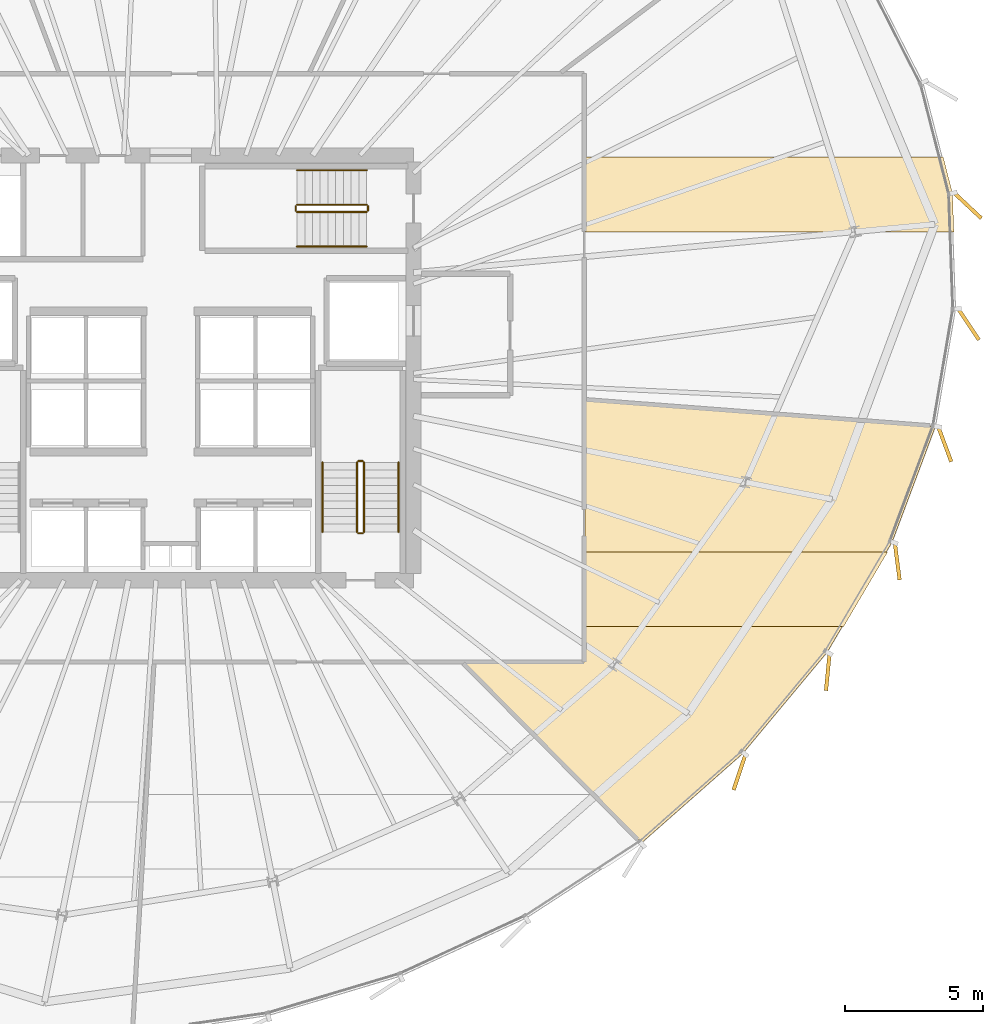
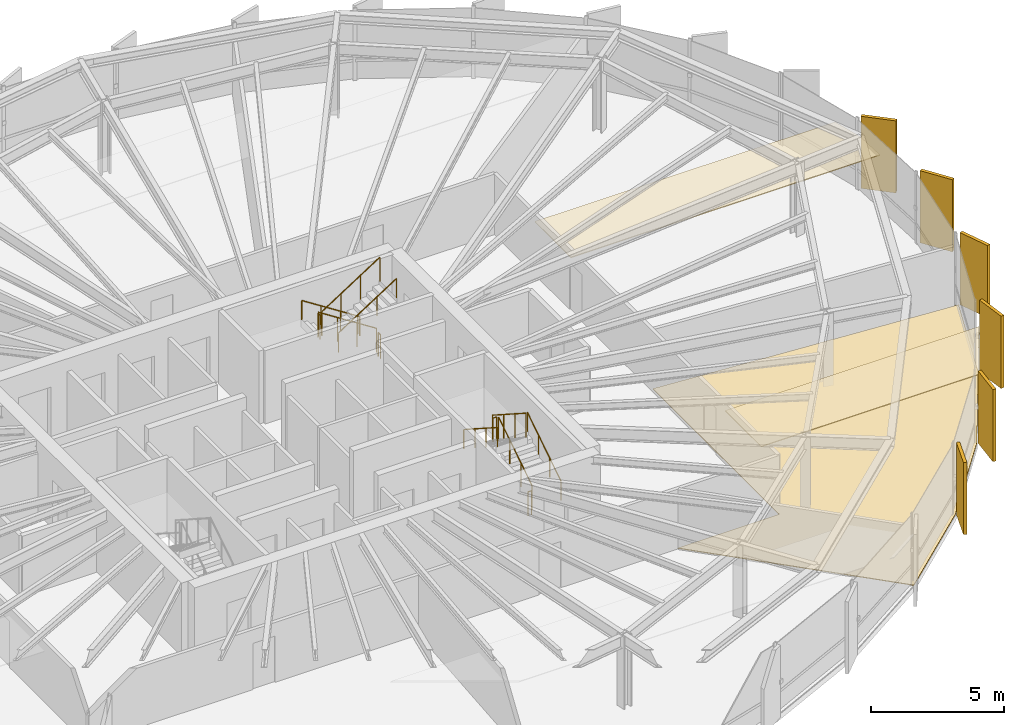
# One storey, part 32 of 33: 12 railings, 9 coverings.
"""IFC4 building model written with IfcOpenShell, lengths in metres."""

from ifc_helpers import new_model, si_unit, direction, frame, origin, origin_2d, place, context, subcontext, project, spatial, polyline, rectangle, circle, outline, extrude, source, transform, mapped, material, layer, layer_set, type_object, element, save


model = new_model("IFC4")

# Units and contexts
model_context = context("Model", 3, precision=1e-05, world=origin(), true_north=direction((0.0, 1.0)))
body_context = subcontext(model_context, "Body", "Model", "MODEL_VIEW")
ifc_project = project(units=[si_unit("LENGTHUNIT", "METRE"), si_unit("AREAUNIT", "SQUARE_METRE"), si_unit("VOLUMEUNIT", "CUBIC_METRE"), si_unit("PLANEANGLEUNIT", "RADIAN"), si_unit("MASSUNIT", "GRAM", prefix="KILO"), si_unit("THERMODYNAMICTEMPERATUREUNIT", "KELVIN")], contexts=[model_context])

# Site, building, storey
site_placement = place(None, origin())
site = spatial("IfcSite", under=ifc_project, at=site_placement, CompositionType="ELEMENT")
building_placement = place(site_placement, origin())
building = spatial("IfcBuilding", under=site, at=building_placement, Name="Kethvar Cultural Tower", CompositionType="ELEMENT")
storey_placement = place(building_placement, frame((0.0, 0.0, 118.0)))
storey = spatial("IfcBuildingStorey", under=building, at=storey_placement, Name="L29", CompositionType="ELEMENT", Elevation=118.0)

# Coverings
ifc_material_1 = material(Name="Acoustic Mineral Fibre Ceiling")
ifc_layer_1 = layer(ifc_material_1, 0.0400390625, Name="Acoustic Mineral Fibre Ceiling")
ifc_layer_set_1 = layer_set([ifc_layer_1], Name="Acoustic Mineral Fibre Ceiling (40 mm)")
covering_type_1 = type_object("IfcCoveringType", Name="CV-ACOUSTIC-CEIL", PredefinedType="CEILING", material=ifc_layer_set_1)
covering_1_placement = place(storey_placement, frame((0.0, 0.0, 2.340087890625)))
element("IfcCovering", 1, at=covering_1_placement, inside=storey, type_object=covering_type_1, Name="L29 Room 03 Acoustic Ceiling Panel", PredefinedType="CEILING", context=body_context, shape_type="SweptSolid", body=[
    extrude(outline(polyline([(71.19091796875, 18.41748046875), (61.77001953125, 18.41748046875), (61.77001953125, 21.12744140625), (72.788818359375, 21.12744140625), (71.19091796875, 18.41748046875)])), origin(), (0.0, 0.0, 1.0), 0.039794921875),
])
covering_2_placement = place(storey_placement, frame((0.0, 0.0, 2.340087890625)))
element("IfcCovering", 2, at=covering_2_placement, inside=storey, type_object=covering_type_1, Name="L29 Room 04 Acoustic Ceiling Panel", PredefinedType="CEILING", context=body_context, shape_type="SweptSolid", body=[
    extrude(outline(polyline([(61.77001953125, 35.435302734375), (74.8017578125, 35.435302734375), (75.13818359375, 34.12451171875), (75.188232421875, 32.725341796875), (61.77001953125, 32.725341796875), (61.77001953125, 35.435302734375)])), origin(), (0.0, 0.0, 1.0), 0.039794921875),
])
ifc_material_2 = material(Name="Honed Warm Limestone", Category="masonry")
ifc_layer_2 = layer(ifc_material_2, 0.030029296875, Name="Honed Warm Limestone", Category="masonry")
ifc_layer_set_2 = layer_set([ifc_layer_2], Name="Honed Warm Limestone (30 mm)")
covering_type_2 = type_object("IfcCoveringType", Name="CV-STONE-FLOOR", PredefinedType="FLOORING", material=ifc_layer_set_2)
covering_3_placement = place(storey_placement, origin())
element("IfcCovering", 3, at=covering_3_placement, inside=storey, type_object=covering_type_2, Name="L29 Room 03 Floor Finish", PredefinedType="FLOORING", context=body_context, shape_type="SweptSolid", body=[
    extrude(outline(polyline([(72.955322265625, 21.488525390625), (70.5986328125, 17.491943359375), (67.532958984375, 13.813720703125), (63.869140625, 10.579345703125), (57.396728515625, 17.1201171875), (61.80859375, 17.13232421875), (61.81005859375, 26.629638671875), (74.51513671875, 25.656005859375), (72.955322265625, 21.488525390625)])), origin(), (0.0, 0.0, 1.0), 0.030029296875),
])

# Railings
ifc_material_3 = material(Name="Steel S355J2", Category="steel")
railing_type_1 = type_object("IfcRailingType", Name="RL-STAIR-GUARD", PredefinedType="BALUSTRADE", material=ifc_material_3)
railing_1_placement = place(storey_placement, frame((53.81005859375, 21.85009765625, 0.179931640625)))
element("IfcRailing", 4, at=railing_1_placement, inside=storey, type_object=railing_type_1, Name="L29 ST-02 stair guard 1", PredefinedType="BALUSTRADE", context=body_context, shape_type="SweptSolid", body=[
    extrude(circle(Radius=0.02392578125, at=origin_2d()), frame((0.0, 0.0, 1.09619140625), z_axis=(0.0, 0.841162588446, 0.540782303519), x_axis=(-1.0, 0.0, 0.0)), (0.0, 0.0, 1.0), 2.995849609375),
    extrude(circle(Radius=0.02099609375, at=origin_2d()), origin(), (0.0, 0.0, 1.0), 1.072021484375),
    extrude(circle(Radius=0.02099609375, at=origin_2d()), frame((0.0, 0.840087890625, 0.5400390625)), (0.0, 0.0, 1.0), 1.072021484375),
    extrude(circle(Radius=0.02099609375, at=origin_2d()), frame((0.0, 1.679931640625, 1.080078125)), (0.0, 0.0, 1.0), 1.072021484375),
    extrude(circle(Radius=0.02099609375, at=origin_2d()), frame((0.0, 2.52001953125, 1.6201171875)), (0.0, 0.0, 1.0), 1.072021484375),
])
railing_2_placement = place(storey_placement, frame((53.760009765625, 24.419921875, 1.800048828125)))
element("IfcRailing", 5, at=railing_2_placement, inside=storey, type_object=railing_type_1, Name="L29 ST-02 stair guard 2", PredefinedType="BALUSTRADE", context=body_context, shape_type="SweptSolid", body=[
    extrude(circle(Radius=0.02392578125, at=origin_2d()), frame((0.0, 0.0, 1.09619140625), z_axis=(-1.0, 0.0, 0.0), x_axis=(0.0, -1.0, 0.0)), (0.0, 0.0, 1.0), 0.159912109375),
    extrude(circle(Radius=0.02099609375, at=origin_2d()), origin(), (0.0, 0.0, 1.0), 1.072021484375),
    extrude(circle(Radius=0.02099609375, at=origin_2d()), frame((-0.159912109375, 0.0, 0.0)), (0.0, 0.0, 1.0), 1.072021484375),
])
railing_3_placement = place(storey_placement, frame((53.550048828125, 24.3701171875, 1.97998046875)))
element("IfcRailing", 6, at=railing_3_placement, inside=storey, type_object=railing_type_1, Name="L29 ST-02 stair guard 3", PredefinedType="BALUSTRADE", context=body_context, shape_type="SweptSolid", body=[
    extrude(circle(Radius=0.02392578125, at=origin_2d()), frame((0.0, 0.0, 1.09619140625), z_axis=(0.0, -0.841162588446, 0.540782303519), x_axis=(1.0, 0.0, 0.0)), (0.0, 0.0, 1.0), 2.995849609375),
    extrude(circle(Radius=0.02099609375, at=origin_2d()), origin(), (0.0, 0.0, 1.0), 1.072021484375),
    extrude(circle(Radius=0.02099609375, at=origin_2d()), frame((0.0, -0.840087890625, 0.5400390625)), (0.0, 0.0, 1.0), 1.072021484375),
    extrude(circle(Radius=0.02099609375, at=origin_2d()), frame((0.0, -1.679931640625, 1.080078125)), (0.0, 0.0, 1.0), 1.072021484375),
    extrude(circle(Radius=0.02099609375, at=origin_2d()), frame((0.0, -2.52001953125, 1.6201171875)), (0.0, 0.0, 1.0), 1.072021484375),
])
railing_4_placement = place(storey_placement, frame((53.760009765625, 21.800048828125, 0.0)))
element("IfcRailing", 7, at=railing_4_placement, inside=storey, type_object=railing_type_1, Name="L29 ST-02 stair guard 4", PredefinedType="BALUSTRADE", context=body_context, shape_type="SweptSolid", body=[
    extrude(circle(Radius=0.02392578125, at=origin_2d()), frame((0.0, 0.0, 1.09619140625), z_axis=(-1.0, 0.0, 0.0), x_axis=(0.0, -1.0, 0.0)), (0.0, 0.0, 1.0), 0.159912109375),
    extrude(circle(Radius=0.02099609375, at=origin_2d()), origin(), (0.0, 0.0, 1.0), 1.072021484375),
    extrude(circle(Radius=0.02099609375, at=origin_2d()), frame((-0.159912109375, 0.0, 0.0)), (0.0, 0.0, 1.0), 1.072021484375),
])
railing_5_placement = place(storey_placement, frame((53.89990234375, 33.7099609375, 0.179931640625)))
element("IfcRailing", 8, at=railing_5_placement, inside=storey, type_object=railing_type_1, Name="L29 ST-03 stair guard 1", PredefinedType="BALUSTRADE", context=body_context, shape_type="SweptSolid", body=[
    extrude(circle(Radius=0.02392578125, at=origin_2d()), frame((0.0, 0.0, 1.09619140625), z_axis=(-0.841162588446, 0.0, 0.540782303519), x_axis=(0.0, -1.0, 0.0)), (0.0, 0.0, 1.0), 2.995849609375),
    extrude(circle(Radius=0.02099609375, at=origin_2d()), origin(), (0.0, 0.0, 1.0), 1.072021484375),
    extrude(circle(Radius=0.02099609375, at=origin_2d()), frame((-0.840087890625, 0.0, 0.5400390625)), (0.0, 0.0, 1.0), 1.072021484375),
    extrude(circle(Radius=0.02099609375, at=origin_2d()), frame((-1.679931640625, 0.0, 1.080078125)), (0.0, 0.0, 1.0), 1.072021484375),
    extrude(circle(Radius=0.02099609375, at=origin_2d()), frame((-2.52001953125, 0.0, 1.6201171875)), (0.0, 0.0, 1.0), 1.072021484375),
])
railing_6_placement = place(storey_placement, frame((51.330078125, 33.659912109375, 1.800048828125)))
element("IfcRailing", 9, at=railing_6_placement, inside=storey, type_object=railing_type_1, Name="L29 ST-03 stair guard 2", PredefinedType="BALUSTRADE", context=body_context, shape_type="SweptSolid", body=[
    extrude(circle(Radius=0.02392578125, at=origin_2d()), frame((0.0, 0.0, 1.09619140625), z_axis=(0.0, -1.0, 0.0), x_axis=(1.0, 0.0, 0.0)), (0.0, 0.0, 1.0), 0.159912109375),
    extrude(circle(Radius=0.02099609375, at=origin_2d()), origin(), (0.0, 0.0, 1.0), 1.072021484375),
    extrude(circle(Radius=0.02099609375, at=origin_2d()), frame((0.0, -0.159912109375, 0.0)), (0.0, 0.0, 1.0), 1.072021484375),
])
railing_7_placement = place(storey_placement, frame((51.3798828125, 33.449951171875, 1.97998046875)))
element("IfcRailing", 10, at=railing_7_placement, inside=storey, type_object=railing_type_1, Name="L29 ST-03 stair guard 3", PredefinedType="BALUSTRADE", context=body_context, shape_type="SweptSolid", body=[
    extrude(circle(Radius=0.02392578125, at=origin_2d()), frame((0.0, 0.0, 1.09619140625), z_axis=(0.841162588446, 0.0, 0.540782303519), x_axis=(0.0, 1.0, 0.0)), (0.0, 0.0, 1.0), 2.995849609375),
    extrude(circle(Radius=0.02099609375, at=origin_2d()), origin(), (0.0, 0.0, 1.0), 1.072021484375),
    extrude(circle(Radius=0.02099609375, at=origin_2d()), frame((0.840087890625, 0.0, 0.5400390625)), (0.0, 0.0, 1.0), 1.072021484375),
    extrude(circle(Radius=0.02099609375, at=origin_2d()), frame((1.679931640625, 0.0, 1.080078125)), (0.0, 0.0, 1.0), 1.072021484375),
    extrude(circle(Radius=0.02099609375, at=origin_2d()), frame((2.52001953125, 0.0, 1.6201171875)), (0.0, 0.0, 1.0), 1.072021484375),
])
railing_8_placement = place(storey_placement, frame((53.949951171875, 33.659912109375, 0.0)))
element("IfcRailing", 11, at=railing_8_placement, inside=storey, type_object=railing_type_1, Name="L29 ST-03 stair guard 4", PredefinedType="BALUSTRADE", context=body_context, shape_type="SweptSolid", body=[
    extrude(circle(Radius=0.02392578125, at=origin_2d()), frame((0.0, 0.0, 1.09619140625), z_axis=(0.0, -1.0, 0.0), x_axis=(1.0, 0.0, 0.0)), (0.0, 0.0, 1.0), 0.159912109375),
    extrude(circle(Radius=0.02099609375, at=origin_2d()), origin(), (0.0, 0.0, 1.0), 1.072021484375),
    extrude(circle(Radius=0.02099609375, at=origin_2d()), frame((0.0, -0.159912109375, 0.0)), (0.0, 0.0, 1.0), 1.072021484375),
])
railing_type_2 = type_object("IfcRailingType", Name="RL-STAIR-HANDRAIL", PredefinedType="HANDRAIL", material=ifc_material_3)
railing_9_placement = place(storey_placement, frame((55.06005859375, 21.85009765625, 0.179931640625)))
element("IfcRailing", 12, at=railing_9_placement, inside=storey, type_object=railing_type_2, Name="L29 ST-02 stair handrail 1", PredefinedType="HANDRAIL", context=body_context, shape_type="SweptSolid", body=[
    extrude(circle(Radius=0.02392578125, at=origin_2d()), frame((0.0, 0.0, 0.8759765625), z_axis=(0.0, 0.841162588446, 0.540782303519), x_axis=(-1.0, 0.0, 0.0)), (0.0, 0.0, 1.0), 2.995849609375),
    extrude(circle(Radius=0.02099609375, at=origin_2d()), origin(), (0.0, 0.0, 1.0), 0.851806640625),
    extrude(circle(Radius=0.02099609375, at=origin_2d()), frame((0.0, 0.840087890625, 0.5400390625)), (0.0, 0.0, 1.0), 0.851806640625),
    extrude(circle(Radius=0.02099609375, at=origin_2d()), frame((0.0, 1.679931640625, 1.080078125)), (0.0, 0.0, 1.0), 0.851806640625),
    extrude(circle(Radius=0.02099609375, at=origin_2d()), frame((0.0, 2.52001953125, 1.6201171875)), (0.0, 0.0, 1.0), 0.851806640625),
])
railing_10_placement = place(storey_placement, frame((52.300048828125, 24.3701171875, 1.97998046875)))
element("IfcRailing", 13, at=railing_10_placement, inside=storey, type_object=railing_type_2, Name="L29 ST-02 stair handrail 2", PredefinedType="HANDRAIL", context=body_context, shape_type="SweptSolid", body=[
    extrude(circle(Radius=0.02392578125, at=origin_2d()), frame((0.0, 0.0, 0.8759765625), z_axis=(0.0, -0.841162588446, 0.540782303519), x_axis=(1.0, 0.0, 0.0)), (0.0, 0.0, 1.0), 2.995849609375),
    extrude(circle(Radius=0.02099609375, at=origin_2d()), origin(), (0.0, 0.0, 1.0), 0.851806640625),
    extrude(circle(Radius=0.02099609375, at=origin_2d()), frame((0.0, -0.840087890625, 0.5400390625)), (0.0, 0.0, 1.0), 0.851806640625),
    extrude(circle(Radius=0.02099609375, at=origin_2d()), frame((0.0, -1.679931640625, 1.080078125)), (0.0, 0.0, 1.0), 0.851806640625),
    extrude(circle(Radius=0.02099609375, at=origin_2d()), frame((0.0, -2.52001953125, 1.6201171875)), (0.0, 0.0, 1.0), 0.851806640625),
])
railing_11_placement = place(storey_placement, frame((53.89990234375, 34.9599609375, 0.179931640625)))
element("IfcRailing", 14, at=railing_11_placement, inside=storey, type_object=railing_type_2, Name="L29 ST-03 stair handrail 1", PredefinedType="HANDRAIL", context=body_context, shape_type="SweptSolid", body=[
    extrude(circle(Radius=0.02392578125, at=origin_2d()), frame((0.0, 0.0, 0.8759765625), z_axis=(-0.841162588446, 0.0, 0.540782303519), x_axis=(0.0, -1.0, 0.0)), (0.0, 0.0, 1.0), 2.995849609375),
    extrude(circle(Radius=0.02099609375, at=origin_2d()), origin(), (0.0, 0.0, 1.0), 0.851806640625),
    extrude(circle(Radius=0.02099609375, at=origin_2d()), frame((-0.840087890625, 0.0, 0.5400390625)), (0.0, 0.0, 1.0), 0.851806640625),
    extrude(circle(Radius=0.02099609375, at=origin_2d()), frame((-1.679931640625, 0.0, 1.080078125)), (0.0, 0.0, 1.0), 0.851806640625),
    extrude(circle(Radius=0.02099609375, at=origin_2d()), frame((-2.52001953125, 0.0, 1.6201171875)), (0.0, 0.0, 1.0), 0.851806640625),
])
railing_12_placement = place(storey_placement, frame((51.3798828125, 32.199951171875, 1.97998046875)))
element("IfcRailing", 15, at=railing_12_placement, inside=storey, type_object=railing_type_2, Name="L29 ST-03 stair handrail 2", PredefinedType="HANDRAIL", context=body_context, shape_type="SweptSolid", body=[
    extrude(circle(Radius=0.02392578125, at=origin_2d()), frame((0.0, 0.0, 0.8759765625), z_axis=(0.841162588446, 0.0, 0.540782303519), x_axis=(0.0, 1.0, 0.0)), (0.0, 0.0, 1.0), 2.995849609375),
    extrude(circle(Radius=0.02099609375, at=origin_2d()), origin(), (0.0, 0.0, 1.0), 0.851806640625),
    extrude(circle(Radius=0.02099609375, at=origin_2d()), frame((0.840087890625, 0.0, 0.5400390625)), (0.0, 0.0, 1.0), 0.851806640625),
    extrude(circle(Radius=0.02099609375, at=origin_2d()), frame((1.679931640625, 0.0, 1.080078125)), (0.0, 0.0, 1.0), 0.851806640625),
    extrude(circle(Radius=0.02099609375, at=origin_2d()), frame((2.52001953125, 0.0, 1.6201171875)), (0.0, 0.0, 1.0), 0.851806640625),
])

# Coverings
ifc_material_4 = material(Name="Extruded Architectural Terracotta", Category="masonry")
ifc_layer_3 = layer(ifc_material_4, 0.135009765625, Name="Extruded Architectural Terracotta", Category="masonry")
ifc_layer_set_3 = layer_set([ifc_layer_3], Name="Extruded Architectural Terracotta (135 mm)")
covering_type_3 = type_object("IfcCoveringType", Name="Terracotta Facade Fin FIN-02", PredefinedType="CLADDING", material=ifc_layer_set_3)
shared_shape = source(origin(), body_context, "Body", "SweptSolid", [
    extrude(rectangle(XDim=1.35009765625, YDim=0.135009765625, at=origin_2d()), origin(), (0.0, 0.0, 1.0), 3.31005859375),
])
for number, where, z_axis, x_axis, name in (
    (16, (67.418701171875, 13.138671875, 0.02001953125), (0.0, 0.0, 1.0), (-0.318628456287, -0.947879690069, 0.0), "L29 Vertical Terracotta Fin 6.1"),
    (17, (70.618408203125, 16.76806640625, 0.02001953125), (0.0, 0.0, 1.0), (-0.097235493922, -0.995261402206, 0.0), "L29 Vertical Terracotta Fin 6.2"),
    (18, (73.135498046875, 20.782470703125, 0.02001953125), (0.0, 0.0, 1.0), (0.128795596578, -0.991671162383, 0.0), "L29 Vertical Terracotta Fin 6.3"),
    (19, (74.858154296875, 25.0283203125, 0.02001953125), (0.0, 0.0, 1.0), (0.349716892865, -0.936855428999, 0.0), "L29 Vertical Terracotta Fin 6.4"),
    (20, (75.722412109375, 29.373046875, 0.02001953125), (0.0, 0.0, 1.0), (0.554553986878, -0.832147748683, 0.0), "L29 Vertical Terracotta Fin 6.5"),
    (21, (75.688720703125, 33.680419921875, 0.02001953125), (0.0, 0.0, 1.0), (0.73028151927, -0.683146325917, 0.0), "L29 Vertical Terracotta Fin 6.6"),
):
    element("IfcCovering", number, at=place(storey_placement, frame(where, z_axis=z_axis, x_axis=x_axis)), inside=storey, type_object=covering_type_3, Name=name, PredefinedType="CLADDING", context=body_context, shape_type="MappedRepresentation", body=[
        mapped(shared_shape, transform((0.0, 0.0, 0.0), scale=1.0)),
    ])

save(model, "model.ifc")
